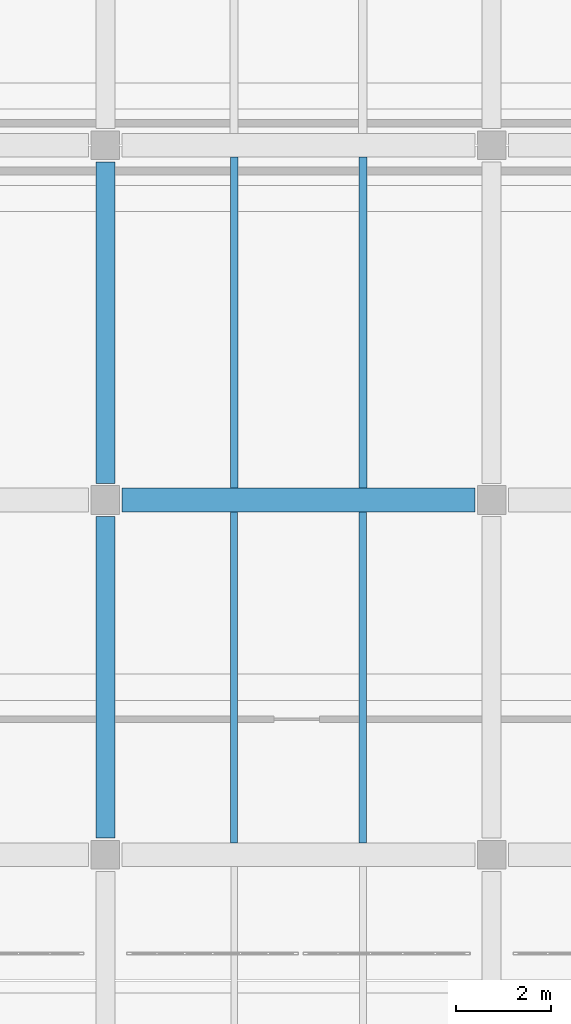
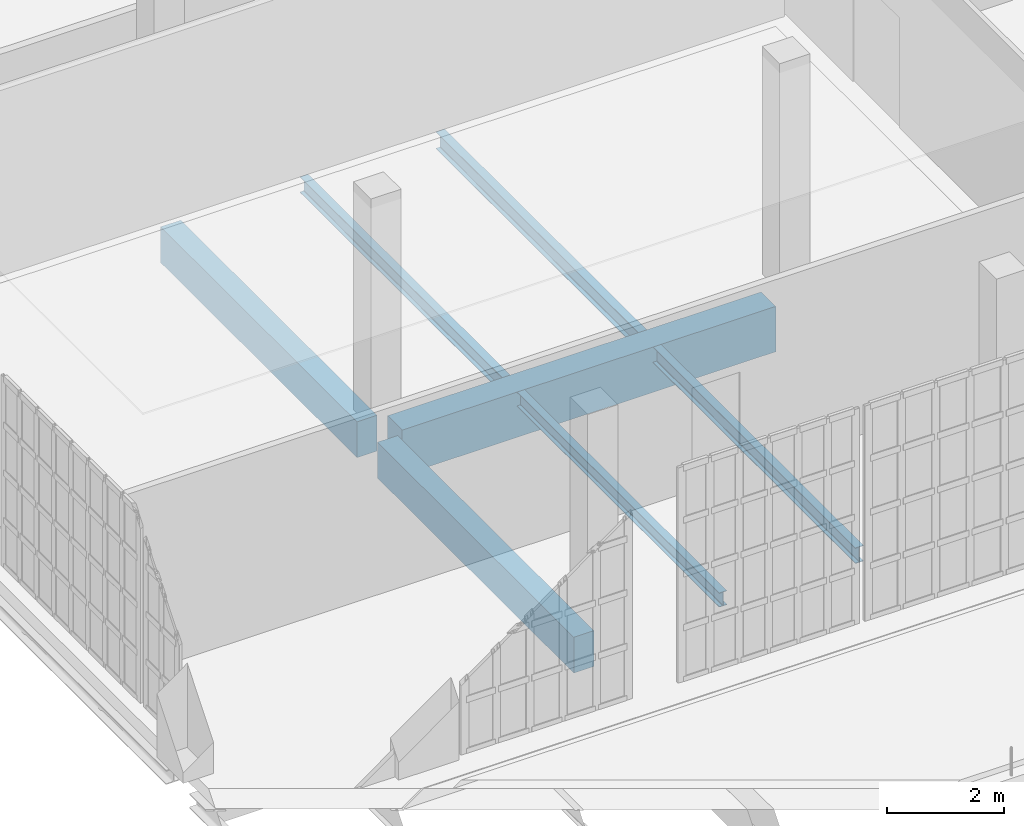
# One storey, part 19 of 104: 7 beams.
"""IFC4 building model written with IfcOpenShell, lengths in metres."""

from ifc_helpers import new_model, si_unit, direction, frame, origin, origin_2d, place, context, subcontext, project, spatial, rectangle, i_section, extrude, material, material_profile, profile_set, type_object, element, save


model = new_model("IFC4")

# Units and contexts
model_context = context("Model", 3, precision=1e-05, world=origin(), true_north=direction((0.0, 1.0)))
body_context = subcontext(model_context, "Body", "Model", "MODEL_VIEW")
ifc_project = project(units=[si_unit("LENGTHUNIT", "METRE"), si_unit("AREAUNIT", "SQUARE_METRE"), si_unit("VOLUMEUNIT", "CUBIC_METRE"), si_unit("PLANEANGLEUNIT", "RADIAN"), si_unit("MASSUNIT", "GRAM", prefix="KILO")], contexts=[model_context])

# Site, building, storey
site_placement = place(None, origin())
site = spatial("IfcSite", under=ifc_project, at=site_placement, CompositionType="ELEMENT")
building_placement = place(site_placement, origin())
building = spatial("IfcBuilding", under=site, at=building_placement, Name="Kaelora Sail Theatre", CompositionType="ELEMENT")
storey_placement = place(building_placement, frame((0.0, 0.0, 5.39990234375)))
storey = spatial("IfcBuildingStorey", under=building, at=storey_placement, Name="L01", CompositionType="ELEMENT", Elevation=5.39990234375)

# Beams
ifc_material_1 = material(Name="Concrete C40/50", Category="concrete")
ifc_material_profile_1 = material_profile(ifc_material_1, rectangle(XDim=0.39990234375, YDim=0.75, at=origin_2d()), Name="RC-BM 400x750")
ifc_profile_set_1 = profile_set([ifc_material_profile_1], Name="Concrete C40/50")
beam_type_1 = type_object("IfcBeamType", Name="STR-BM-BM-RC4075", PredefinedType="BEAM", material=ifc_profile_set_1)
for number, where, z_axis, x_axis, name in (
    (1, (9.60009765625, 68.81005859375, -0.669921875), (0.0, 1.0, 0.0), (-1.0, 0.0, 0.0), "Primary beam 2 J-K (L01)"),
    (2, (9.60009765625, 76.25, -0.669921875), (0.0, 1.0, 0.0), (-1.0, 0.0, 0.0), "Primary beam 2 K-L (L01)"),
):
    element("IfcBeam", number, at=place(storey_placement, frame(where, z_axis=z_axis, x_axis=x_axis)), inside=storey, type_object=beam_type_1, Name=name, PredefinedType="BEAM", context=body_context, shape_type="SweptSolid", body=[
        extrude(rectangle(XDim=0.39990234375, YDim=0.75, at=origin_2d()), origin(), (0.0, 0.0, 1.0), 6.739990234375),
    ])
ifc_material_2 = material(Name="Concrete C45/55", Category="concrete")
ifc_material_profile_2 = material_profile(ifc_material_2, rectangle(XDim=0.5, YDim=0.949951171875, at=origin_2d()), Name="RC-GRD 500x950")
ifc_profile_set_2 = profile_set([ifc_material_profile_2], Name="Concrete C45/55")
beam_type_2 = type_object("IfcBeamType", Name="STR-BM-GR-RC5095", PredefinedType="T_BEAM", material=ifc_profile_set_2)
beam_1_placement = place(storey_placement, frame((9.949951171875, 75.89990234375, -0.77001953125), z_axis=(1.0, 0.0, 0.0), x_axis=(0.0, 1.0, 0.0)))
element("IfcBeam", 3, at=beam_1_placement, inside=storey, type_object=beam_type_2, Name="Primary beam K 2-3 (L01)", PredefinedType="T_BEAM", context=body_context, shape_type="SweptSolid", body=[
    extrude(rectangle(XDim=0.5, YDim=0.949951171875, at=origin_2d()), origin(), (0.0, 0.0, 1.0), 7.400146484375),
])
ifc_material_3 = material(Name="Steel S355", Category="steel")
ifc_material_profile_3 = material_profile(ifc_material_3, i_section(OverallWidth=0.14990234375, OverallDepth=0.300048828125, WebThickness=0.007080078125, FlangeThickness=0.0107421875, FilletRadius=0.014892578125, at=origin_2d()), Name="IPE 300")
ifc_profile_set_3 = profile_set([ifc_material_profile_3], Name="Steel S355")
beam_type_3 = type_object("IfcBeamType", Name="STR-BM-JS-IPE300", PredefinedType="JOIST", material=ifc_profile_set_3)
beam_2_placement = place(storey_placement, frame((12.300048828125, 68.7099609375, -0.44482421875), z_axis=(0.0, 1.0, 0.0), x_axis=(-1.0, 0.0, 0.0)))
element("IfcBeam", 4, at=beam_2_placement, inside=storey, type_object=beam_type_3, Name="Secondary floor joist 2/J-1 (L01)", PredefinedType="JOIST", context=body_context, shape_type="SweptSolid", body=[
    extrude(i_section(OverallWidth=0.14990234375, OverallDepth=0.300048828125, WebThickness=0.007080078125, FlangeThickness=0.0107421875, FilletRadius=0.014892578125, at=origin_2d()), origin(), (0.0, 0.0, 1.0), 6.93994140625),
])
ifc_material_4 = material(Name="Steel S355", Category="steel")
ifc_material_profile_4 = material_profile(ifc_material_4, i_section(OverallWidth=0.159912109375, OverallDepth=0.330078125, WebThickness=0.007568359375, FlangeThickness=0.011474609375, FilletRadius=0.01806640625, at=origin_2d()), Name="IPE 330")
ifc_profile_set_4 = profile_set([ifc_material_profile_4], Name="Steel S355")
beam_type_4 = type_object("IfcBeamType", Name="STR-BM-JS-IPE330", PredefinedType="JOIST", material=ifc_profile_set_4)
beam_3_placement = place(storey_placement, frame((15.0, 68.7099609375, -0.4599609375), z_axis=(0.0, 1.0, 0.0), x_axis=(-1.0, 0.0, 0.0)))
element("IfcBeam", 5, at=beam_3_placement, inside=storey, type_object=beam_type_4, Name="Secondary floor joist 2/J-2 (L01)", PredefinedType="JOIST", context=body_context, shape_type="SweptSolid", body=[
    extrude(i_section(OverallWidth=0.159912109375, OverallDepth=0.330078125, WebThickness=0.007568359375, FlangeThickness=0.011474609375, FilletRadius=0.01806640625, at=origin_2d()), origin(), (0.0, 0.0, 1.0), 6.93994140625),
])
beam_4_placement = place(storey_placement, frame((12.300048828125, 76.14990234375, -0.4599609375), z_axis=(0.0, 1.0, 0.0), x_axis=(-1.0, 0.0, 0.0)))
element("IfcBeam", 6, at=beam_4_placement, inside=storey, type_object=beam_type_4, Name="Secondary floor joist 2/K-1 (L01)", PredefinedType="JOIST", context=body_context, shape_type="SweptSolid", body=[
    extrude(i_section(OverallWidth=0.159912109375, OverallDepth=0.330078125, WebThickness=0.007568359375, FlangeThickness=0.011474609375, FilletRadius=0.01806640625, at=origin_2d()), origin(), (0.0, 0.0, 1.0), 6.940185546875),
])
ifc_material_5 = material(Name="Steel S355", Category="steel")
ifc_material_profile_5 = material_profile(ifc_material_5, i_section(OverallWidth=0.169921875, OverallDepth=0.360107421875, WebThickness=0.008056640625, FlangeThickness=0.0126953125, FilletRadius=0.01806640625, at=origin_2d()), Name="IPE 360")
ifc_profile_set_5 = profile_set([ifc_material_profile_5], Name="Steel S355")
beam_type_5 = type_object("IfcBeamType", Name="STR-BM-JS-IPE360", PredefinedType="JOIST", material=ifc_profile_set_5)
beam_5_placement = place(storey_placement, frame((15.0, 76.14990234375, -0.474853515625), z_axis=(0.0, 1.0, 0.0), x_axis=(-1.0, 0.0, 0.0)))
element("IfcBeam", 7, at=beam_5_placement, inside=storey, type_object=beam_type_5, Name="Secondary floor joist 2/K-2 (L01)", PredefinedType="JOIST", context=body_context, shape_type="SweptSolid", body=[
    extrude(i_section(OverallWidth=0.169921875, OverallDepth=0.360107421875, WebThickness=0.008056640625, FlangeThickness=0.0126953125, FilletRadius=0.01806640625, at=origin_2d()), origin(), (0.0, 0.0, 1.0), 6.940185546875),
])

save(model, "model.ifc")
